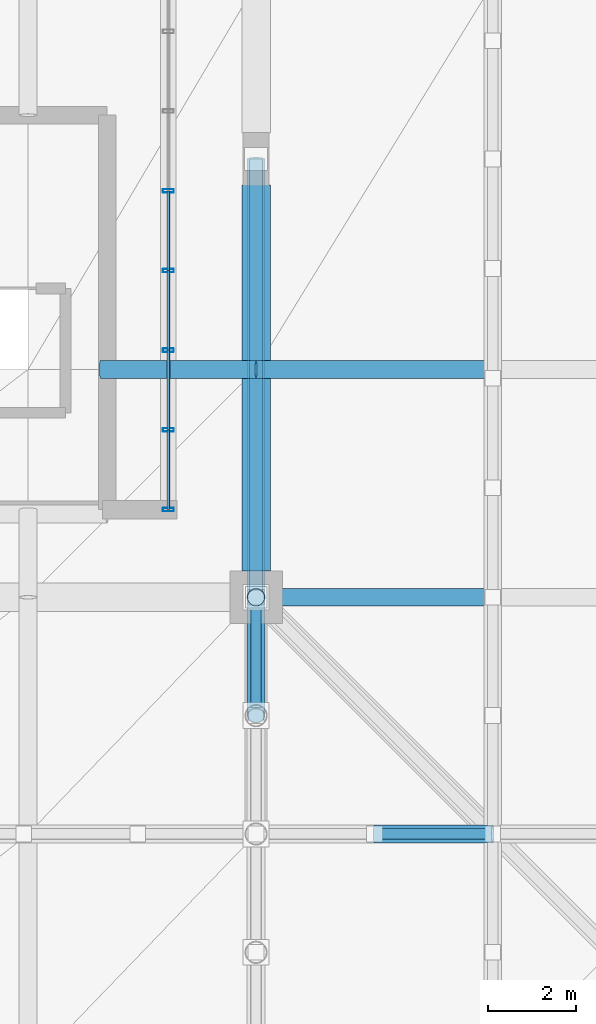
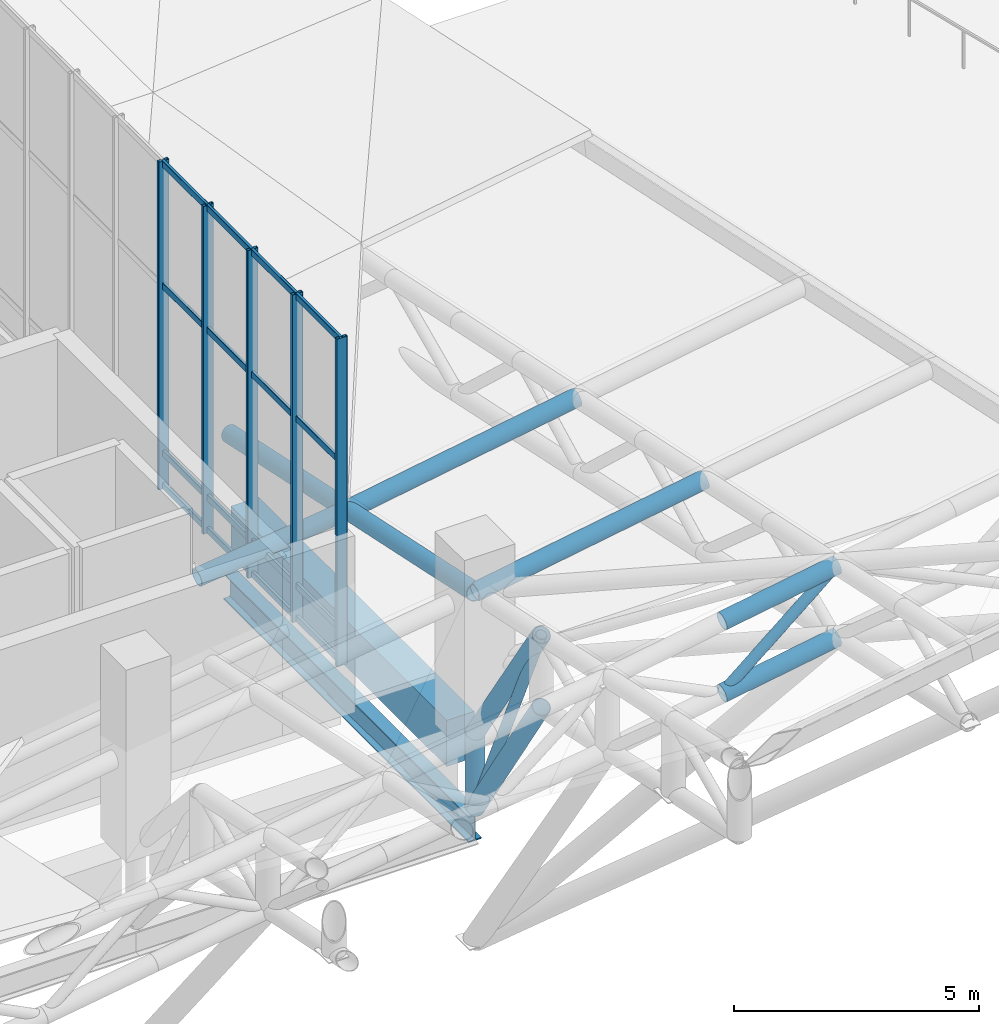
# One storey, part 63 of 137: 32 members, 2 beams, 1 element without a shape of its own.
"""IFC4 building model written with IfcOpenShell, lengths in metres."""

from ifc_helpers import new_model, si_unit, direction, frame, origin, origin_2d, place, context, subcontext, project, spatial, rectangle, hollow_rectangle, hollow_circle, i_section, extrude, material, layer, layer_set, material_profile, profile_set, type_object, element, aggregate, save


model = new_model("IFC4")

# Units and contexts
model_context = context("Model", 3, precision=1e-05, world=origin(), true_north=direction((0.0, 1.0)))
body_context = subcontext(model_context, "Body", "Model", "MODEL_VIEW")
ifc_project = project(units=[si_unit("LENGTHUNIT", "METRE"), si_unit("AREAUNIT", "SQUARE_METRE"), si_unit("VOLUMEUNIT", "CUBIC_METRE"), si_unit("PLANEANGLEUNIT", "RADIAN"), si_unit("MASSUNIT", "GRAM", prefix="KILO")], contexts=[model_context])

# Site, building, storey
site_placement = place(None, origin())
site = spatial("IfcSite", under=ifc_project, at=site_placement, CompositionType="ELEMENT")
building_placement = place(site_placement, origin())
building = spatial("IfcBuilding", under=site, at=building_placement, Name="Khorjan Park Terminus", CompositionType="ELEMENT")
storey_placement = place(building_placement, frame((0.0, 0.0, 11.4)))
storey = spatial("IfcBuildingStorey", under=building, at=storey_placement, Name="L02", CompositionType="ELEMENT", Elevation=11.4)

# Members
ifc_material_1 = material(Name="Steel S355", Category="steel")
ifc_material_profile_1 = material_profile(ifc_material_1, hollow_circle(Radius=0.1222, WallThickness=0.0125, at=origin_2d()), Name="CHS 244.5x12.5")
ifc_profile_set_1 = profile_set([ifc_material_profile_1], Name="Steel S355")
member_type_1 = type_object("IfcMemberType", Name="MB-BRE-245", PredefinedType="BRACE", material=ifc_profile_set_1)
member_1_placement = place(storey_placement, frame((136.0, 23.3, 4.0203), z_axis=(0.0, 0.413785624432, -0.910374349931), x_axis=(-1.0, 0.0, 0.0)))
element("IfcMember", 1, at=member_1_placement, inside=storey, type_object=member_type_1, Name="Lower shell cantilever truss diagonal (12S)", PredefinedType="BRACE", context=body_context, shape_type="SweptSolid", body=[
    extrude(hollow_circle(Radius=0.1222, WallThickness=0.0125, at=origin_2d()), origin(), (0.0, 0.0, 1.0), 6.5251),
])
member_2_placement = place(storey_placement, frame((138.7, 20.6, 3.2515), z_axis=(0.767088309459, 0.0, 0.641541522811), x_axis=(0.0, 1.0, 0.0)))
element("IfcMember", 2, at=member_2_placement, inside=storey, type_object=member_type_1, Name="Lower shell mid-ring diagonal (S39)", PredefinedType="BRACE", context=body_context, shape_type="SweptSolid", body=[
    extrude(hollow_circle(Radius=0.1222, WallThickness=0.0125, at=origin_2d()), origin(), (0.0, 0.0, 1.0), 3.5198),
])
ifc_material_profile_2 = material_profile(ifc_material_1, hollow_circle(Radius=0.2032, WallThickness=0.016, at=origin_2d()), Name="CHS 406.4x16")
ifc_profile_set_2 = profile_set([ifc_material_profile_2], Name="Steel S355")
member_type_2 = type_object("IfcMemberType", Name="MB-CH-406", PredefinedType="CHORD", material=ifc_profile_set_2)
member_3_placement = place(storey_placement, frame((132.45, 31.2, 1.9024), z_axis=(0.992379040258, 0.0, 0.123222727027), x_axis=(0.0, 1.0, 0.0)))
element("IfcMember", 3, at=member_3_placement, inside=storey, type_object=member_type_2, Name="Lower wrapping shell rim chord (86)", PredefinedType="CHORD", context=body_context, shape_type="SweptSolid", body=[
    extrude(hollow_circle(Radius=0.2032, WallThickness=0.016, at=origin_2d()), origin(), (0.0, 0.0, 1.0), 3.5773),
])
ifc_material_profile_3 = material_profile(ifc_material_1, hollow_circle(Radius=0.2032, WallThickness=0.016, at=origin_2d()), Name="CHS 406.4x16")
ifc_profile_set_3 = profile_set([ifc_material_profile_3], Name="Steel S355")
member_type_3 = type_object("IfcMemberType", Name="MB-CHE-406", PredefinedType="CHORD", material=ifc_profile_set_3)
for number, where, z_axis, x_axis, name in (
    (4, (136.0, 26.0, 3.4471), (0.985913104802, 0.0, 0.167258332465), (0.0, 1.0, 0.0), "Lower wrapping shell rim chord (70)"),
    (5, (136.0, 31.2, 2.3432), (0.985913104802, 0.0, 0.167258332465), (0.0, 1.0, 0.0), "Lower wrapping shell rim chord (87)"),
):
    element("IfcMember", number, at=place(storey_placement, frame(where, z_axis=z_axis, x_axis=x_axis)), inside=storey, type_object=member_type_3, Name=name, PredefinedType="CHORD", context=body_context, shape_type="SweptSolid", body=[
        extrude(hollow_circle(Radius=0.2032, WallThickness=0.016, at=origin_2d()), origin(), (0.0, 0.0, 1.0), 5.4772),
    ])
member_4_placement = place(storey_placement, frame((136.0, 26.0, 3.4471), z_axis=(0.0, 0.978200597368, -0.207662204815), x_axis=(-1.0, 0.0, 0.0)))
element("IfcMember", 6, at=member_4_placement, inside=storey, type_object=member_type_3, Name="Lower wrapping shell rim chord (152)", PredefinedType="CHORD", context=body_context, shape_type="SweptSolid", body=[
    extrude(hollow_circle(Radius=0.2032, WallThickness=0.016, at=origin_2d()), origin(), (0.0, 0.0, 1.0), 10.2229),
])
member_5_placement = place(storey_placement, frame((136.0, 23.3, 4.0203), z_axis=(0.0, 0.552780526491, -0.833326880361), x_axis=(-1.0, 0.0, 0.0)))
element("IfcMember", 7, at=member_5_placement, inside=storey, type_object=member_type_3, Name="Lower shell cantilever truss top chord (12S)", PredefinedType="CHORD", context=body_context, shape_type="SweptSolid", body=[
    extrude(hollow_circle(Radius=0.2032, WallThickness=0.016, at=origin_2d()), origin(), (0.0, 0.0, 1.0), 4.8844),
])
member_6_placement = place(storey_placement, frame((136.0, 23.3, 2.2203), z_axis=(0.0, 0.546240009424, -0.837628707784), x_axis=(-1.0, 0.0, 0.0)))
element("IfcMember", 8, at=member_6_placement, inside=storey, type_object=member_type_3, Name="Lower shell cantilever truss bottom chord (12S)", PredefinedType="CHORD", context=body_context, shape_type="SweptSolid", body=[
    extrude(hollow_circle(Radius=0.2032, WallThickness=0.016, at=origin_2d()), origin(), (0.0, 0.0, 1.0), 4.9429),
])
for number, where, z_axis, x_axis, name in (
    (9, (138.7, 20.6, 5.0515), (0.985910093926, 0.0, 0.167276079269), (0.0, 1.0, 0.0), "Lower shell mid-ring top chord (S39)"),
    (10, (138.7, 20.6, 3.2515), (0.985910093926, 0.0, 0.167276079269), (0.0, 1.0, 0.0), "Lower shell mid-ring bottom chord (S39)"),
):
    element("IfcMember", number, at=place(storey_placement, frame(where, z_axis=z_axis, x_axis=x_axis)), inside=storey, type_object=member_type_3, Name=name, PredefinedType="CHORD", context=body_context, shape_type="SweptSolid", body=[
        extrude(hollow_circle(Radius=0.2032, WallThickness=0.016, at=origin_2d()), origin(), (0.0, 0.0, 1.0), 2.7386),
    ])
ifc_material_profile_4 = material_profile(ifc_material_1, hollow_circle(Radius=0.2032, WallThickness=0.016, at=origin_2d()), Name="CHS 406.4x16")
ifc_profile_set_4 = profile_set([ifc_material_profile_4], Name="Steel S355")
member_type_4 = type_object("IfcMemberType", Name="MB-ST-406", PredefinedType="STRUT", material=ifc_profile_set_4)
member_7_placement = place(storey_placement, frame((136.0, 26.0, -1.92), z_axis=(0.0, 0.0, 1.0), x_axis=(1.0, 0.0, 0.0)))
element("IfcMember", 11, at=member_7_placement, inside=storey, type_object=member_type_4, Name="Lower shell cantilever truss post (12S)", PredefinedType="STRUT", context=body_context, shape_type="SweptSolid", body=[
    extrude(hollow_circle(Radius=0.2032, WallThickness=0.016, at=origin_2d()), origin(), (0.0, 0.0, 1.0), 1.87),
])

# Curtain wall, members
ifc_material_2 = material(Name="Anodized Bronze Aluminium", Category="aluminium")
ifc_layer = layer(ifc_material_2, 0.22)
ifc_layer_set = layer_set([ifc_layer], Name="Anodized Bronze Aluminium")
curtain_wall_type = type_object("IfcCurtainWallType", Name="CW-CONC-CLR", PredefinedType="NOTDEFINED", material=ifc_layer_set)
curtain_wall_placement = place(storey_placement, origin())
curtain_wall = element("IfcCurtainWall", 12, at=curtain_wall_placement, inside=storey, type_object=curtain_wall_type, Name="Unitized curtain wall CW-CL (CW-V2-E-CLR-01)", PredefinedType="NOTDEFINED")
ifc_material_profile_5 = material_profile(ifc_material_2, hollow_rectangle(XDim=0.08, YDim=0.25, WallThickness=0.005, InnerFilletRadius=0.005, OuterFilletRadius=0.01, at=origin_2d()), Name="ALM 80x250x5")
ifc_profile_set_5 = profile_set([ifc_material_profile_5], Name="Anodized Bronze Aluminium")
member_type_5 = type_object("IfcMemberType", Name="ML-ALM-250", PredefinedType="MULLION", material=ifc_profile_set_5)
member_8_placement = place(storey_placement, frame((134.0, 28.0, 1.1271), z_axis=(0.0, 0.0, 1.0), x_axis=(0.0, 1.0, 0.0)))
member_8 = element("IfcMember", 13, at=member_8_placement, type_object=member_type_5, Name="Curtain-wall mullion ML-25 (CW-V2-E-CLR-01-0)", PredefinedType="MULLION", context=body_context, shape_type="SweptSolid", body=[
    extrude(hollow_rectangle(XDim=0.08, YDim=0.25, WallThickness=0.005, InnerFilletRadius=0.005, OuterFilletRadius=0.01, at=origin_2d()), origin(), (0.0, 0.0, 1.0), 8.1673),
])
member_9_placement = place(storey_placement, frame((134.0, 29.8182, 1.1271), z_axis=(0.0, 0.0, 1.0), x_axis=(0.0, 1.0, 0.0)))
member_9 = element("IfcMember", 14, at=member_9_placement, type_object=member_type_5, Name="Curtain-wall mullion ML-25 (CW-V2-E-CLR-01-1)", PredefinedType="MULLION", context=body_context, shape_type="SweptSolid", body=[
    extrude(hollow_rectangle(XDim=0.08, YDim=0.25, WallThickness=0.005, InnerFilletRadius=0.005, OuterFilletRadius=0.01, at=origin_2d()), origin(), (0.0, 0.0, 1.0), 8.1673),
])
member_10_placement = place(storey_placement, frame((134.0, 31.6364, 1.1271), z_axis=(0.0, 0.0, 1.0), x_axis=(0.0, 1.0, 0.0)))
member_10 = element("IfcMember", 15, at=member_10_placement, type_object=member_type_5, Name="Curtain-wall mullion ML-25 (CW-V2-E-CLR-01-2)", PredefinedType="MULLION", context=body_context, shape_type="SweptSolid", body=[
    extrude(hollow_rectangle(XDim=0.08, YDim=0.25, WallThickness=0.005, InnerFilletRadius=0.005, OuterFilletRadius=0.01, at=origin_2d()), origin(), (0.0, 0.0, 1.0), 8.1673),
])
member_11_placement = place(storey_placement, frame((134.0, 33.4545, 1.1271), z_axis=(0.0, 0.0, 1.0), x_axis=(0.0, 1.0, 0.0)))
member_11 = element("IfcMember", 16, at=member_11_placement, type_object=member_type_5, Name="Curtain-wall mullion ML-25 (CW-V2-E-CLR-01-3)", PredefinedType="MULLION", context=body_context, shape_type="SweptSolid", body=[
    extrude(hollow_rectangle(XDim=0.08, YDim=0.25, WallThickness=0.005, InnerFilletRadius=0.005, OuterFilletRadius=0.01, at=origin_2d()), origin(), (0.0, 0.0, 1.0), 8.1673),
])
member_12_placement = place(storey_placement, frame((134.0, 35.2727, 1.1271), z_axis=(0.0, 0.0, 1.0), x_axis=(0.0, 1.0, 0.0)))
member_12 = element("IfcMember", 17, at=member_12_placement, type_object=member_type_5, Name="Curtain-wall mullion ML-25 (CW-V2-E-CLR-01-4)", PredefinedType="MULLION", context=body_context, shape_type="SweptSolid", body=[
    extrude(hollow_rectangle(XDim=0.08, YDim=0.25, WallThickness=0.005, InnerFilletRadius=0.005, OuterFilletRadius=0.01, at=origin_2d()), origin(), (0.0, 0.0, 1.0), 8.1673),
])

# Beams
ifc_material_profile_6 = material_profile(ifc_material_1, i_section(OverallWidth=0.3, OverallDepth=0.65, WebThickness=0.016, FlangeThickness=0.031, FilletRadius=0.027, at=origin_2d()), Name="HEB 650")
ifc_profile_set_6 = profile_set([ifc_material_profile_6], Name="Steel S355")
beam_type_1 = type_object("IfcBeamType", Name="SP-HEB650E", PredefinedType="SPANDREL", material=ifc_profile_set_6)
beam_1_placement = place(storey_placement, frame((136.0, 26.0, -2.425), z_axis=(0.0, 1.0, 0.0), x_axis=(-1.0, 0.0, 0.0)))
element("IfcBeam", 18, at=beam_1_placement, inside=storey, type_object=beam_type_1, Name="Lower shell truss support girder SP-E65 (Y39)", PredefinedType="SPANDREL", context=body_context, shape_type="SweptSolid", body=[
    extrude(i_section(OverallWidth=0.3, OverallDepth=0.65, WebThickness=0.016, FlangeThickness=0.031, FilletRadius=0.027, at=origin_2d()), origin(), (0.0, 0.0, 1.0), 10.0),
])
ifc_material_3 = material(Name="Concrete C50/60", Category="concrete")
ifc_material_profile_7 = material_profile(ifc_material_3, rectangle(XDim=0.65, YDim=1.15, at=origin_2d()), Name="RC 650x1150")
ifc_profile_set_7 = profile_set([ifc_material_profile_7], Name="Concrete C50/60")
beam_type_2 = type_object("IfcBeamType", Name="SP-RC650x1150", PredefinedType="SPANDREL", material=ifc_profile_set_7)
beam_2_placement = place(storey_placement, frame((136.0, 26.595, -0.575), z_axis=(0.0, 1.0, 0.0), x_axis=(-1.0, 0.0, 0.0)))
element("IfcBeam", 19, at=beam_2_placement, inside=storey, type_object=beam_type_2, Name="Concourse lower colonnade ring beam SP-11 (L02-60)", PredefinedType="SPANDREL", context=body_context, shape_type="SweptSolid", body=[
    extrude(rectangle(XDim=0.65, YDim=1.15, at=origin_2d()), origin(), (0.0, 0.0, 1.0), 8.81),
])

# Member
ifc_material_profile_8 = material_profile(ifc_material_2, hollow_rectangle(XDim=0.07, YDim=0.16, WallThickness=0.004, InnerFilletRadius=0.004, OuterFilletRadius=0.008, at=origin_2d()), Name="ALT 70x160x4")
ifc_profile_set_8 = profile_set([ifc_material_profile_8], Name="Anodized Bronze Aluminium")
member_type_6 = type_object("IfcMemberType", Name="TR-ALT-160", PredefinedType="USERDEFINED", material=ifc_profile_set_8)
member_13_placement = place(storey_placement, frame((134.0, 28.0, 1.2021), z_axis=(0.0, 1.0, 0.0), x_axis=(-1.0, 0.0, 0.0)))
member_13 = element("IfcMember", 20, at=member_13_placement, type_object=member_type_6, Name="Curtain-wall transom TR-16 (CW-V2-E-CLR-01-0-1)", ObjectType="TRANSOM", PredefinedType="USERDEFINED", context=body_context, shape_type="SweptSolid", body=[
    extrude(hollow_rectangle(XDim=0.07, YDim=0.16, WallThickness=0.004, InnerFilletRadius=0.004, OuterFilletRadius=0.008, at=origin_2d()), origin(), (0.0, 0.0, 1.0), 1.8182),
])

member_14_placement = place(storey_placement, frame((134.0, 28.0, 2.0121), z_axis=(0.0, 1.0, 0.0), x_axis=(-1.0, 0.0, 0.0)))
member_14 = element("IfcMember", 21, at=member_14_placement, type_object=member_type_6, Name="Curtain-wall transom TR-16 (CW-V2-E-CLR-01-0-2)", ObjectType="TRANSOM", PredefinedType="USERDEFINED", context=body_context, shape_type="SweptSolid", body=[
    extrude(hollow_rectangle(XDim=0.07, YDim=0.16, WallThickness=0.004, InnerFilletRadius=0.004, OuterFilletRadius=0.008, at=origin_2d()), origin(), (0.0, 0.0, 1.0), 1.8182),
])

member_15_placement = place(storey_placement, frame((134.0, 28.0, 6.1824), z_axis=(0.0, 1.0, 0.0), x_axis=(-1.0, 0.0, 0.0)))
member_15 = element("IfcMember", 22, at=member_15_placement, type_object=member_type_6, Name="Curtain-wall transom TR-16 (CW-V2-E-CLR-01-0-3)", ObjectType="TRANSOM", PredefinedType="USERDEFINED", context=body_context, shape_type="SweptSolid", body=[
    extrude(hollow_rectangle(XDim=0.07, YDim=0.16, WallThickness=0.004, InnerFilletRadius=0.004, OuterFilletRadius=0.008, at=origin_2d()), origin(), (0.0, 0.0, 1.0), 1.8182),
])

member_16_placement = place(storey_placement, frame((134.0, 28.0, 9.2194), z_axis=(0.0, 1.0, 0.0), x_axis=(-1.0, 0.0, 0.0)))
member_16 = element("IfcMember", 23, at=member_16_placement, type_object=member_type_6, Name="Curtain-wall transom TR-16 (CW-V2-E-CLR-01-0-4)", ObjectType="TRANSOM", PredefinedType="USERDEFINED", context=body_context, shape_type="SweptSolid", body=[
    extrude(hollow_rectangle(XDim=0.07, YDim=0.16, WallThickness=0.004, InnerFilletRadius=0.004, OuterFilletRadius=0.008, at=origin_2d()), origin(), (0.0, 0.0, 1.0), 1.8182),
])

member_17_placement = place(storey_placement, frame((134.0, 29.8182, 1.2021), z_axis=(0.0, 1.0, 0.0), x_axis=(-1.0, 0.0, 0.0)))
member_17 = element("IfcMember", 24, at=member_17_placement, type_object=member_type_6, Name="Curtain-wall transom TR-16 (CW-V2-E-CLR-01-1-1)", ObjectType="TRANSOM", PredefinedType="USERDEFINED", context=body_context, shape_type="SweptSolid", body=[
    extrude(hollow_rectangle(XDim=0.07, YDim=0.16, WallThickness=0.004, InnerFilletRadius=0.004, OuterFilletRadius=0.008, at=origin_2d()), origin(), (0.0, 0.0, 1.0), 1.8182),
])

member_18_placement = place(storey_placement, frame((134.0, 29.8182, 2.0121), z_axis=(0.0, 1.0, 0.0), x_axis=(-1.0, 0.0, 0.0)))
member_18 = element("IfcMember", 25, at=member_18_placement, type_object=member_type_6, Name="Curtain-wall transom TR-16 (CW-V2-E-CLR-01-1-2)", ObjectType="TRANSOM", PredefinedType="USERDEFINED", context=body_context, shape_type="SweptSolid", body=[
    extrude(hollow_rectangle(XDim=0.07, YDim=0.16, WallThickness=0.004, InnerFilletRadius=0.004, OuterFilletRadius=0.008, at=origin_2d()), origin(), (0.0, 0.0, 1.0), 1.8182),
])

member_19_placement = place(storey_placement, frame((134.0, 29.8182, 6.1824), z_axis=(0.0, 1.0, 0.0), x_axis=(-1.0, 0.0, 0.0)))
member_19 = element("IfcMember", 26, at=member_19_placement, type_object=member_type_6, Name="Curtain-wall transom TR-16 (CW-V2-E-CLR-01-1-3)", ObjectType="TRANSOM", PredefinedType="USERDEFINED", context=body_context, shape_type="SweptSolid", body=[
    extrude(hollow_rectangle(XDim=0.07, YDim=0.16, WallThickness=0.004, InnerFilletRadius=0.004, OuterFilletRadius=0.008, at=origin_2d()), origin(), (0.0, 0.0, 1.0), 1.8182),
])

member_20_placement = place(storey_placement, frame((134.0, 29.8182, 9.2194), z_axis=(0.0, 1.0, 0.0), x_axis=(-1.0, 0.0, 0.0)))
member_20 = element("IfcMember", 27, at=member_20_placement, type_object=member_type_6, Name="Curtain-wall transom TR-16 (CW-V2-E-CLR-01-1-4)", ObjectType="TRANSOM", PredefinedType="USERDEFINED", context=body_context, shape_type="SweptSolid", body=[
    extrude(hollow_rectangle(XDim=0.07, YDim=0.16, WallThickness=0.004, InnerFilletRadius=0.004, OuterFilletRadius=0.008, at=origin_2d()), origin(), (0.0, 0.0, 1.0), 1.8182),
])

member_21_placement = place(storey_placement, frame((134.0, 31.6364, 1.2021), z_axis=(0.0, 1.0, 0.0), x_axis=(-1.0, 0.0, 0.0)))
member_21 = element("IfcMember", 28, at=member_21_placement, type_object=member_type_6, Name="Curtain-wall transom TR-16 (CW-V2-E-CLR-01-2-1)", ObjectType="TRANSOM", PredefinedType="USERDEFINED", context=body_context, shape_type="SweptSolid", body=[
    extrude(hollow_rectangle(XDim=0.07, YDim=0.16, WallThickness=0.004, InnerFilletRadius=0.004, OuterFilletRadius=0.008, at=origin_2d()), origin(), (0.0, 0.0, 1.0), 1.8181),
])

member_22_placement = place(storey_placement, frame((134.0, 31.6364, 2.0121), z_axis=(0.0, 1.0, 0.0), x_axis=(-1.0, 0.0, 0.0)))
member_22 = element("IfcMember", 29, at=member_22_placement, type_object=member_type_6, Name="Curtain-wall transom TR-16 (CW-V2-E-CLR-01-2-2)", ObjectType="TRANSOM", PredefinedType="USERDEFINED", context=body_context, shape_type="SweptSolid", body=[
    extrude(hollow_rectangle(XDim=0.07, YDim=0.16, WallThickness=0.004, InnerFilletRadius=0.004, OuterFilletRadius=0.008, at=origin_2d()), origin(), (0.0, 0.0, 1.0), 1.8181),
])

member_23_placement = place(storey_placement, frame((134.0, 31.6364, 6.1824), z_axis=(0.0, 1.0, 0.0), x_axis=(-1.0, 0.0, 0.0)))
member_23 = element("IfcMember", 30, at=member_23_placement, type_object=member_type_6, Name="Curtain-wall transom TR-16 (CW-V2-E-CLR-01-2-3)", ObjectType="TRANSOM", PredefinedType="USERDEFINED", context=body_context, shape_type="SweptSolid", body=[
    extrude(hollow_rectangle(XDim=0.07, YDim=0.16, WallThickness=0.004, InnerFilletRadius=0.004, OuterFilletRadius=0.008, at=origin_2d()), origin(), (0.0, 0.0, 1.0), 1.8181),
])

member_24_placement = place(storey_placement, frame((134.0, 31.6364, 9.2194), z_axis=(0.0, 1.0, 0.0), x_axis=(-1.0, 0.0, 0.0)))
member_24 = element("IfcMember", 31, at=member_24_placement, type_object=member_type_6, Name="Curtain-wall transom TR-16 (CW-V2-E-CLR-01-2-4)", ObjectType="TRANSOM", PredefinedType="USERDEFINED", context=body_context, shape_type="SweptSolid", body=[
    extrude(hollow_rectangle(XDim=0.07, YDim=0.16, WallThickness=0.004, InnerFilletRadius=0.004, OuterFilletRadius=0.008, at=origin_2d()), origin(), (0.0, 0.0, 1.0), 1.8181),
])

member_25_placement = place(storey_placement, frame((134.0, 33.4545, 1.2021), z_axis=(0.0, 1.0, 0.0), x_axis=(-1.0, 0.0, 0.0)))
member_25 = element("IfcMember", 32, at=member_25_placement, type_object=member_type_6, Name="Curtain-wall transom TR-16 (CW-V2-E-CLR-01-3-1)", ObjectType="TRANSOM", PredefinedType="USERDEFINED", context=body_context, shape_type="SweptSolid", body=[
    extrude(hollow_rectangle(XDim=0.07, YDim=0.16, WallThickness=0.004, InnerFilletRadius=0.004, OuterFilletRadius=0.008, at=origin_2d()), origin(), (0.0, 0.0, 1.0), 1.8182),
])

member_26_placement = place(storey_placement, frame((134.0, 33.4545, 2.0121), z_axis=(0.0, 1.0, 0.0), x_axis=(-1.0, 0.0, 0.0)))
member_26 = element("IfcMember", 33, at=member_26_placement, type_object=member_type_6, Name="Curtain-wall transom TR-16 (CW-V2-E-CLR-01-3-2)", ObjectType="TRANSOM", PredefinedType="USERDEFINED", context=body_context, shape_type="SweptSolid", body=[
    extrude(hollow_rectangle(XDim=0.07, YDim=0.16, WallThickness=0.004, InnerFilletRadius=0.004, OuterFilletRadius=0.008, at=origin_2d()), origin(), (0.0, 0.0, 1.0), 1.8182),
])

member_27_placement = place(storey_placement, frame((134.0, 33.4545, 6.1824), z_axis=(0.0, 1.0, 0.0), x_axis=(-1.0, 0.0, 0.0)))
member_27 = element("IfcMember", 34, at=member_27_placement, type_object=member_type_6, Name="Curtain-wall transom TR-16 (CW-V2-E-CLR-01-3-3)", ObjectType="TRANSOM", PredefinedType="USERDEFINED", context=body_context, shape_type="SweptSolid", body=[
    extrude(hollow_rectangle(XDim=0.07, YDim=0.16, WallThickness=0.004, InnerFilletRadius=0.004, OuterFilletRadius=0.008, at=origin_2d()), origin(), (0.0, 0.0, 1.0), 1.8182),
])

member_28_placement = place(storey_placement, frame((134.0, 33.4545, 9.2194), z_axis=(0.0, 1.0, 0.0), x_axis=(-1.0, 0.0, 0.0)))
member_28 = element("IfcMember", 35, at=member_28_placement, type_object=member_type_6, Name="Curtain-wall transom TR-16 (CW-V2-E-CLR-01-3-4)", ObjectType="TRANSOM", PredefinedType="USERDEFINED", context=body_context, shape_type="SweptSolid", body=[
    extrude(hollow_rectangle(XDim=0.07, YDim=0.16, WallThickness=0.004, InnerFilletRadius=0.004, OuterFilletRadius=0.008, at=origin_2d()), origin(), (0.0, 0.0, 1.0), 1.8182),
])

aggregate(curtain_wall, [member_8, member_9, member_10, member_11, member_12, member_13, member_14, member_15, member_16, member_17, member_18, member_19, member_20, member_21, member_22, member_23, member_24, member_25, member_26, member_27, member_28])

save(model, "model.ifc")
